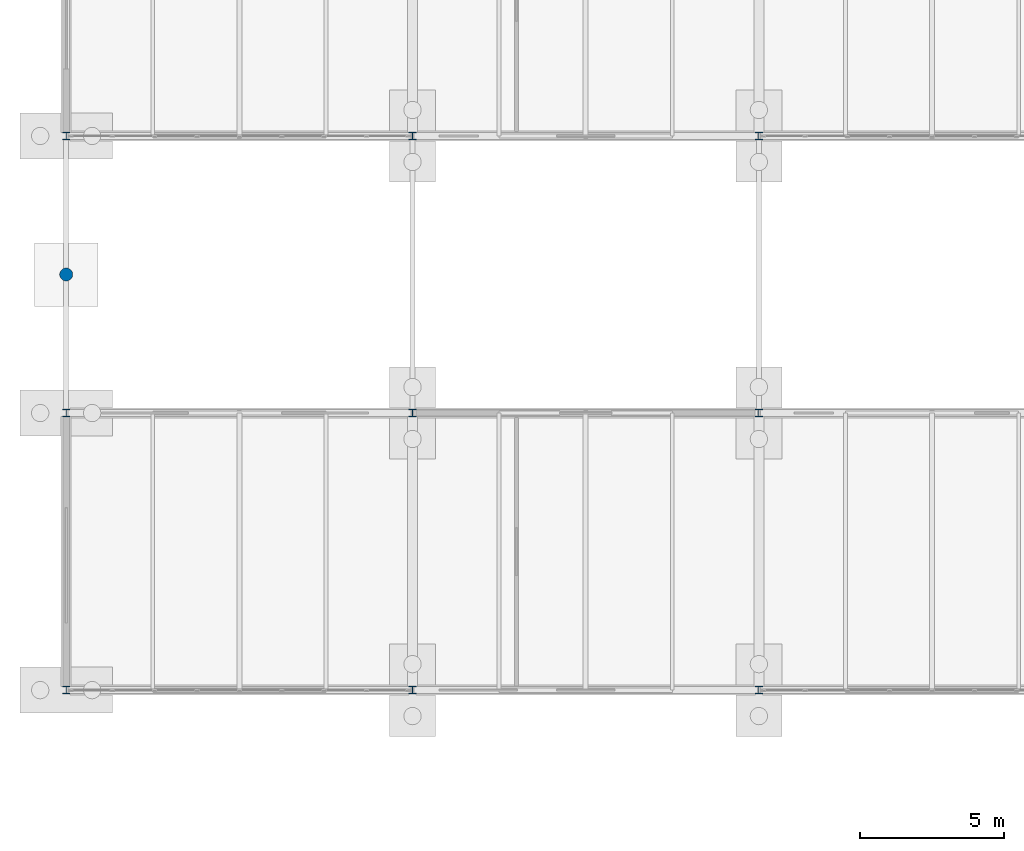
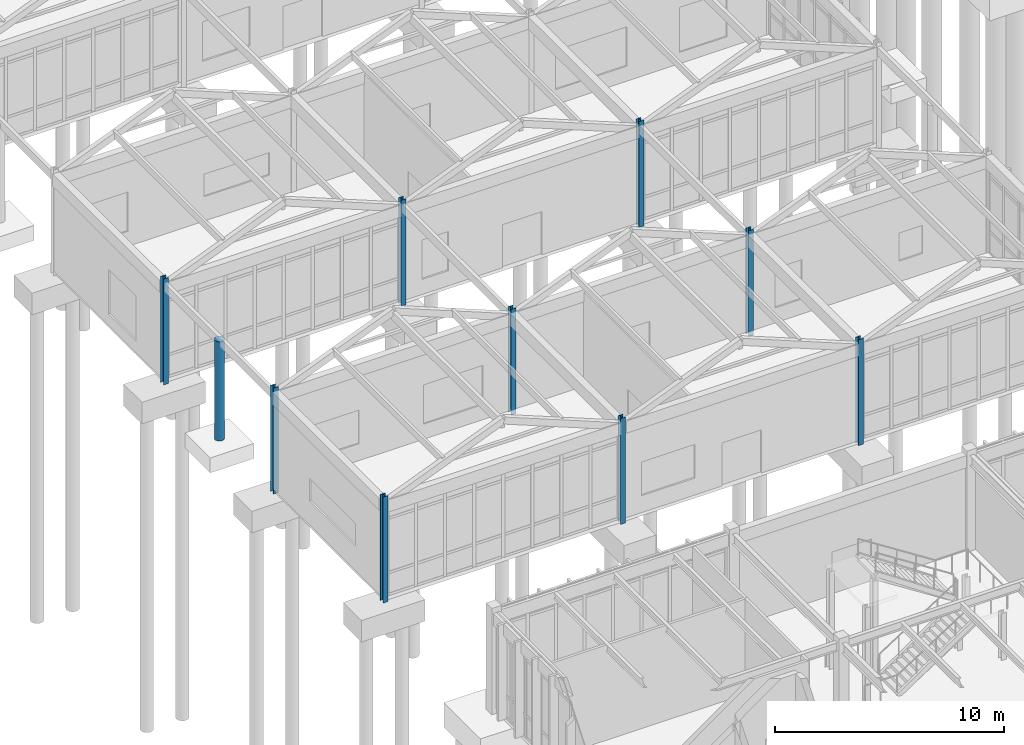
# One storey, part 6 of 188: 10 columns.
"""IFC4 building model written with IfcOpenShell, lengths in metres."""

import ifcopenshell
import ifcopenshell.guid

model = None  # the IFC model being written
_history = None  # IfcOwnerHistory: only IFC2X3 demands one
_inside = {}  # id of a spatial element -> (the spatial element, [elements in it])
_under = {}  # id of a project, library or spatial element -> (it, [spatial elements below it])
_declared = {}  # id of a project -> (the project, [libraries it declares])
_typed = {}  # id of a type object -> (the type object, [elements of that type])
_made_of = {}  # id of a material, layer set ... -> (it, [elements and type objects made of it])


def new_model(schema):
    """Start an empty IFC model of exactly this schema.

    Asked for "IFC4X3", IfcOpenShell would pick the latest addendum, in which some entities
    have other attributes; the version numbers below select the first issue.
    IFC2X3 requires an IfcOwnerHistory on every rooted entity: one is made here for all.
    """
    global model, _history
    if schema == "IFC4X3":
        model = ifcopenshell.file(schema_version=(4, 3, 0, 0))
    else:
        model = ifcopenshell.file(schema=schema)
    _inside.clear()
    _under.clear()
    _declared.clear()
    _typed.clear()
    _made_of.clear()
    _history = None
    if model.schema == "IFC2X3":
        org = make("IfcOrganization", Name="unknown")
        user = make(
            "IfcPersonAndOrganization",
            ThePerson=make("IfcPerson", FamilyName="unknown"),
            TheOrganization=org,
        )
        app = make(
            "IfcApplication",
            ApplicationDeveloper=org,
            Version="unknown",
            ApplicationFullName="unknown",
            ApplicationIdentifier="unknown",
        )
        _history = make(
            "IfcOwnerHistory",
            OwningUser=user,
            OwningApplication=app,
            ChangeAction="ADDED",
            CreationDate=0,
        )
    return model


def make(cls, **values):
    """One entity of the class cls with the attributes given. An attribute that is None is left unset."""
    return model.create_entity(
        cls, **{name: value for name, value in values.items() if value is not None}
    )


def rooted(cls, **values):
    """An entity with a GlobalId (a new one), such as an element, a storey or a relation."""
    return make(cls, GlobalId=ifcopenshell.guid.new(), OwnerHistory=_history, **values)


def si_unit(unit_type, name, prefix=None):
    """IfcSIUnit, for example si_unit("LENGTHUNIT", "METRE", prefix="MILLI")."""
    return make("IfcSIUnit", UnitType=unit_type, Prefix=prefix, Name=name)


def assignment(units):
    """IfcUnitAssignment: the units of a project."""
    return None if units is None else make("IfcUnitAssignment", Units=units)


def point(xyz):
    """IfcCartesianPoint."""
    return None if xyz is None else make("IfcCartesianPoint", Coordinates=xyz)


def direction(xyz):
    """IfcDirection."""
    return None if xyz is None else make("IfcDirection", DirectionRatios=xyz)


def frame(location, z_axis=None, x_axis=None):
    """IfcAxis2Placement3D, a coordinate frame: its origin and axes. An axis left out is left unset."""
    return make(
        "IfcAxis2Placement3D",
        Location=point(location),
        Axis=direction(z_axis),
        RefDirection=direction(x_axis),
    )


def frame_2d(location, x_axis=None):
    """IfcAxis2Placement2D, a coordinate frame in the plane: its origin and x axis."""
    return make(
        "IfcAxis2Placement2D", Location=point(location), RefDirection=direction(x_axis)
    )


def origin():
    """The frame at (0, 0, 0) with its axes left unset."""
    return frame((0.0, 0.0, 0.0))


def origin_2d():
    """The frame at (0, 0) in the plane with its x axis left unset."""
    return frame_2d((0.0, 0.0))


def place(relative_to, where):
    """IfcLocalPlacement: puts the frame where relative to a parent placement (None: the world)."""
    return make(
        "IfcLocalPlacement", PlacementRelTo=relative_to, RelativePlacement=where
    )


def context(
    kind, dimensions, precision=None, world=None, true_north=None, identifier=None
):
    """IfcGeometricRepresentationContext, for example the 3D "Model" context."""
    return make(
        "IfcGeometricRepresentationContext",
        ContextIdentifier=identifier,
        ContextType=kind,
        CoordinateSpaceDimension=dimensions,
        Precision=precision,
        WorldCoordinateSystem=world,
        TrueNorth=true_north,
    )


def subcontext(parent, identifier, kind, view, scale=None):
    """IfcGeometricRepresentationSubContext, for example "Body" below "Model"."""
    return make(
        "IfcGeometricRepresentationSubContext",
        ContextIdentifier=identifier,
        ContextType=kind,
        ParentContext=parent,
        TargetScale=scale,
        TargetView=view,
    )


def project(units=None, contexts=None):
    """IfcProject with its units and contexts."""
    return rooted(
        "IfcProject",
        Name="project",
        RepresentationContexts=contexts,
        UnitsInContext=assignment(units),
    )


def spatial(cls, under=None, at=None, **own):
    """A site, building, storey or space (cls), placed at a placement, below another one or the project."""
    s = rooted(cls, ObjectPlacement=at, **own)
    if under is not None:
        _under.setdefault(under.id(), (under, []))[1].append(s)
    return s


def profile(cls, at=None, kind="AREA", **sizes):
    """A parametric profile (cls). Its sizes go by their IFC names, for example OverallWidth=200.0."""
    return make(cls, ProfileType=kind, Position=at, **sizes)


def circle(**sizes):
    """IfcCircleProfileDef."""
    return profile("IfcCircleProfileDef", **sizes)


def i_section(**sizes):
    """IfcIShapeProfileDef."""
    return profile("IfcIShapeProfileDef", **sizes)


def extrude(swept, where, along, depth):
    """IfcExtrudedAreaSolid: the profile swept, set in the frame where, extruded along a direction by depth."""
    return make(
        "IfcExtrudedAreaSolid",
        SweptArea=swept,
        Position=where,
        ExtrudedDirection=direction(along),
        Depth=depth,
    )


def shape(context_of_items, identifier, shape_type, items):
    """IfcShapeRepresentation: the items that make up one representation, for example the "Body"."""
    return make(
        "IfcShapeRepresentation",
        ContextOfItems=context_of_items,
        RepresentationIdentifier=identifier,
        RepresentationType=shape_type,
        Items=items,
    )


def material(Name=None, Category=None):
    """IfcMaterial."""
    return make("IfcMaterial", Name=Name, Category=Category)


def material_profile(
    of_material, cross_section, Name=None, Category=None, Priority=None
):
    """IfcMaterialProfile: a cross section and its material."""
    return make(
        "IfcMaterialProfile",
        Name=Name,
        Material=of_material,
        Profile=cross_section,
        Priority=Priority,
        Category=Category,
    )


def profile_set(profiles, Name=None, composite=None):
    """IfcMaterialProfileSet."""
    return make(
        "IfcMaterialProfileSet",
        Name=Name,
        MaterialProfiles=profiles,
        CompositeProfile=composite,
    )


def made_of(thing, what):
    """Note that an element or type object is made of a material, layer set ...; save() writes the relation."""
    if what is not None:
        _made_of.setdefault(what.id(), (what, []))[1].append(thing)
    return thing


def type_object(cls, material=None, **own):
    """A type object (cls), such as IfcWallType, which elements share."""
    return made_of(rooted(cls, **own), material)


def element(
    cls,
    number,
    at=None,
    inside=None,
    cuts=None,
    type_object=None,
    material=None,
    context=None,
    identifier="Body",
    shape_type=None,
    held_by="IfcProductDefinitionShape",
    body=None,
    shapes=None,
    **own,
):
    """One element of the class cls, such as IfcWall. Its Tag is "e" and its number.

    at: its placement. inside: the storey or other place that contains it. cuts: it is an
    opening in that element (IfcRelVoidsElement). A single representation is given by context,
    identifier, shape_type and body (its items); several are given by shapes. held_by: the class
    of the entity that holds the representations. save() writes the other relations.
    """
    e = rooted(cls, Tag="e%d" % number, ObjectPlacement=at, **own)
    if body is not None:
        shapes = [shape(context, identifier, shape_type, body)]
    if shapes is not None:
        e.Representation = make(held_by, Representations=shapes)
    if inside is not None:
        _inside.setdefault(inside.id(), (inside, []))[1].append(e)
    if cuts is not None:
        rooted(
            "IfcRelVoidsElement", RelatingBuildingElement=cuts, RelatedOpeningElement=e
        )
    if type_object is not None:
        _typed.setdefault(type_object.id(), (type_object, []))[1].append(e)
    return made_of(e, material)


def aggregate(whole, parts):
    """IfcRelAggregates: a whole, such as a stair, and the parts it consists of."""
    return rooted("IfcRelAggregates", RelatingObject=whole, RelatedObjects=parts)


def save(model, path):
    """Write the relations noted so far, then the file.

    IfcRelAggregates (storeys below a building ...), IfcRelContainedInSpatialStructure (elements
    in a storey), IfcRelDefinesByType, IfcRelAssociatesMaterial and IfcRelDeclares: one each for
    every whole, place, type object, material and project.
    """
    for whole, parts in _under.values():
        aggregate(whole, parts)
    for where, things in _inside.values():
        rooted(
            "IfcRelContainedInSpatialStructure",
            RelatedElements=things,
            RelatingStructure=where,
        )
    for kind, things in _typed.values():
        rooted("IfcRelDefinesByType", RelatedObjects=things, RelatingType=kind)
    for what, things in _made_of.values():
        rooted("IfcRelAssociatesMaterial", RelatedObjects=things, RelatingMaterial=what)
    for by, libraries in _declared.values():
        rooted("IfcRelDeclares", RelatingContext=by, RelatedDefinitions=libraries)
    model.write(path)


model = new_model("IFC4")

# Units and contexts
model_context = context("Model", 3, precision=1e-05, world=origin(), true_north=direction((0.0, 1.0)))
body_context = subcontext(model_context, "Body", "Model", "MODEL_VIEW")
ifc_project = project(units=[si_unit("LENGTHUNIT", "METRE"), si_unit("AREAUNIT", "SQUARE_METRE"), si_unit("VOLUMEUNIT", "CUBIC_METRE"), si_unit("PLANEANGLEUNIT", "RADIAN"), si_unit("MASSUNIT", "GRAM", prefix="KILO")], contexts=[model_context])

# Site, building, storey
site_placement = place(None, origin())
site = spatial("IfcSite", under=ifc_project, at=site_placement, CompositionType="ELEMENT")
building_placement = place(site_placement, origin())
building = spatial("IfcBuilding", under=site, at=building_placement, Name="Pandanus Reach Market Hall", CompositionType="ELEMENT")
storey_placement = place(building_placement, origin())
storey = spatial("IfcBuildingStorey", under=building, at=storey_placement, Name="L00", CompositionType="ELEMENT", Elevation=0.0)

# Columns
ifc_material_1 = material(Name="Steel Grade 350 (350 MPa)", Category="steel")
ifc_material_profile_1 = material_profile(ifc_material_1, i_section(OverallWidth=0.25390625, OverallDepth=0.25390625, WebThickness=0.008544921875, FlangeThickness=0.01416015625, at=origin_2d()), Name="250UC72.9", Category="LoadBearing")
ifc_profile_set_1 = profile_set([ifc_material_profile_1], Name="Steel Grade 350 (350 MPa)")
column_type_1 = type_object("IfcColumnType", Name="CL-UC250-E", PredefinedType="COLUMN", material=ifc_profile_set_1)
for number, where, z_axis, x_axis, name in (
    (1, (0.0, 38.39990234375, -0.2548828125), (0.0, 0.0, 1.0), (1.0, 0.0, 0.0), "Column CL-UC250-E V2-0-384 L00"),
    (2, (12.0, 38.39990234375, -0.2548828125), (0.0, 0.0, 1.0), (1.0, 0.0, 0.0), "Column CL-UC250-E V2-12-384 L00"),
    (3, (24.0, 38.39990234375, -0.2548828125), (0.0, 0.0, 1.0), (1.0, 0.0, 0.0), "Column CL-UC250-E V2-24-384 L00"),
    (4, (0.0, 48.0, -0.2548828125), (0.0, 0.0, 1.0), (1.0, 0.0, 0.0), "Column CL-UC250-E V2-0-480 L00"),
    (5, (12.0, 48.0, -0.2548828125), (0.0, 0.0, 1.0), (1.0, 0.0, 0.0), "Column CL-UC250-E V2-12-480 L00"),
    (6, (24.0, 48.0, -0.2548828125), (0.0, 0.0, 1.0), (1.0, 0.0, 0.0), "Column CL-UC250-E V2-24-480 L00"),
    (7, (0.0, 57.60009765625, -0.2548828125), (0.0, 0.0, 1.0), (1.0, 0.0, 0.0), "Column CL-UC250-E V2-0-576 L00"),
    (8, (12.0, 57.60009765625, -0.2548828125), (0.0, 0.0, 1.0), (1.0, 0.0, 0.0), "Column CL-UC250-E V2-12-576 L00"),
    (9, (24.0, 57.60009765625, -0.2548828125), (0.0, 0.0, 1.0), (1.0, 0.0, 0.0), "Column CL-UC250-E V2-24-576 L00"),
):
    element("IfcColumn", number, at=place(storey_placement, frame(where, z_axis=z_axis, x_axis=x_axis)), inside=storey, type_object=column_type_1, Name=name, PredefinedType="COLUMN", context=body_context, shape_type="SweptSolid", body=[
        extrude(i_section(OverallWidth=0.25390625, OverallDepth=0.25390625, WebThickness=0.008544921875, FlangeThickness=0.01416015625, at=origin_2d()), origin(), (0.0, 0.0, 1.0), 5.65478515625),
    ])
ifc_material_2 = material(Name="Precast concrete S50 (50 MPa)", Category="concrete")
ifc_material_profile_2 = material_profile(ifc_material_2, circle(Radius=0.22509765625, at=origin_2d()), Name="RC450D", Category="LoadBearing")
ifc_profile_set_2 = profile_set([ifc_material_profile_2], Name="Precast concrete S50 (50 MPa)")
column_type_2 = type_object("IfcColumnType", Name="PL-RC450-E", PredefinedType="PILASTER", material=ifc_profile_set_2)
column_placement = place(storey_placement, frame((0.0, 52.800048828125, -0.300048828125), z_axis=(0.0, 0.0, 1.0), x_axis=(1.0, 0.0, 0.0)))
element("IfcColumn", 10, at=column_placement, inside=storey, type_object=column_type_2, Name="Arcade pilaster P23", PredefinedType="PILASTER", context=body_context, shape_type="SweptSolid", body=[
    extrude(circle(Radius=0.22509765625, at=origin_2d()), origin(), (0.0, 0.0, 1.0), 5.300048828125),
])

save(model, "model.ifc")
